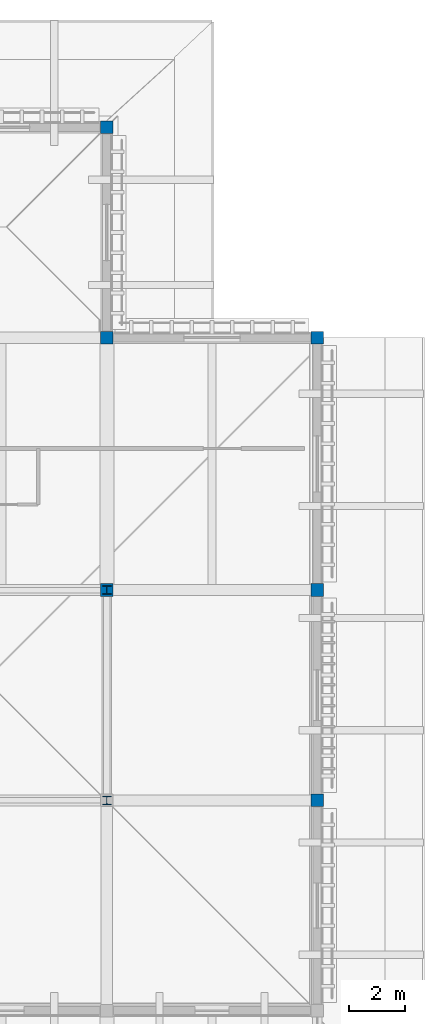
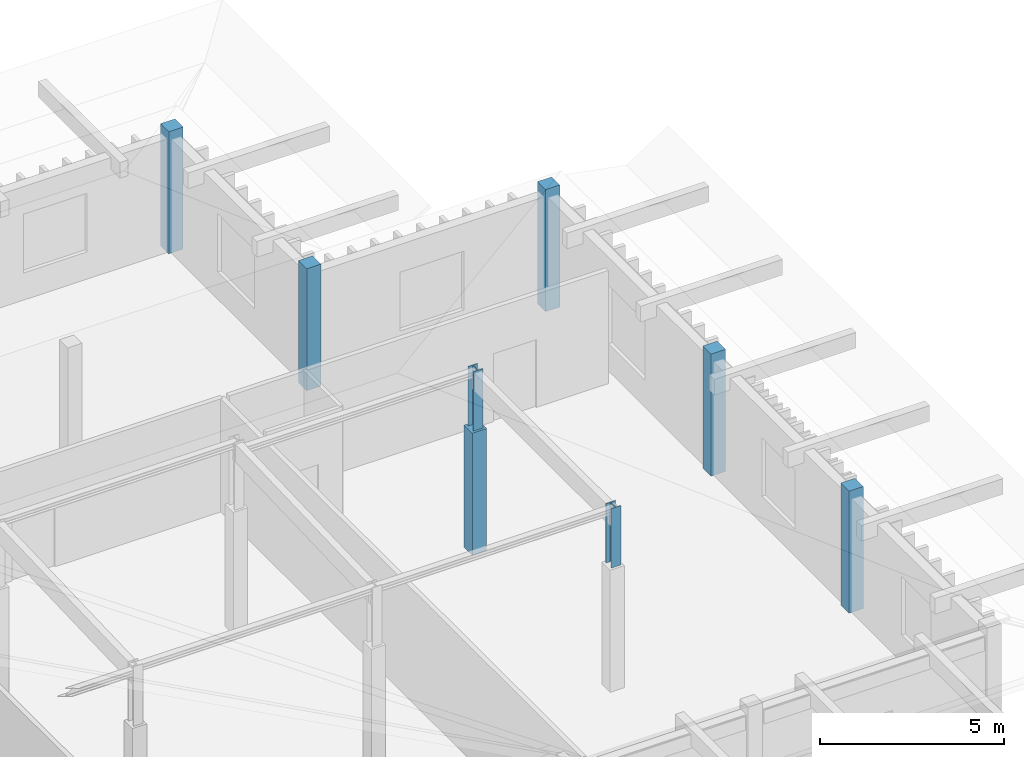
# One storey, part 11 of 48: 8 columns.
"""IFC4 building model written with IfcOpenShell, lengths in metres."""

from ifc_helpers import new_model, si_unit, direction, frame, origin, origin_2d, place, context, subcontext, project, spatial, rectangle, i_section, extrude, material, material_profile, profile_set, type_object, element, save


model = new_model("IFC4")

# Units and contexts
model_context = context("Model", 3, precision=1e-05, world=origin(), true_north=direction((0.0, 1.0)))
body_context = subcontext(model_context, "Body", "Model", "MODEL_VIEW")
ifc_project = project(units=[si_unit("LENGTHUNIT", "METRE"), si_unit("AREAUNIT", "SQUARE_METRE"), si_unit("VOLUMEUNIT", "CUBIC_METRE"), si_unit("PLANEANGLEUNIT", "RADIAN"), si_unit("MASSUNIT", "GRAM", prefix="KILO")], contexts=[model_context])

# Site, building, storey
site_placement = place(None, origin())
site = spatial("IfcSite", under=ifc_project, at=site_placement, CompositionType="ELEMENT")
building_placement = place(site_placement, origin())
building = spatial("IfcBuilding", under=site, at=building_placement, Name="Dalvernix Boulevard General Hospital", CompositionType="ELEMENT")
storey_placement = place(building_placement, frame((0.0, 0.0, 17.85009765625)))
storey = spatial("IfcBuildingStorey", under=building, at=storey_placement, Name="L04", CompositionType="ELEMENT", Elevation=17.85009765625)

# Columns
ifc_material_1 = material(Name="Concrete C40/50", Category="concrete")
ifc_material_profile_1 = material_profile(ifc_material_1, rectangle(XDim=0.449951171875, YDim=0.449951171875, at=origin_2d()), Name="RC 450x450")
ifc_profile_set_1 = profile_set([ifc_material_profile_1], Name="Concrete C40/50")
column_type_1 = type_object("IfcColumnType", Name="COL-C-10-E", PredefinedType="COLUMN", material=ifc_profile_set_1)
for number, where, z_axis, x_axis, name in (
    (1, (127.5, 109.5, 0.0), (0.0, 0.0, 1.0), (1.0, 0.0, 0.0), "L04 column 18Q"),
    (2, (127.5, 117.0, 0.0), (0.0, 0.0, 1.0), (1.0, 0.0, 0.0), "L04 column 18R"),
    (3, (135.0, 93.0, 0.0), (0.0, 0.0, 1.0), (1.0, 0.0, 0.0), "L04 column 19N"),
    (4, (135.0, 100.5, 0.0), (0.0, 0.0, 1.0), (1.0, 0.0, 0.0), "L04 column 19P"),
    (5, (135.0, 109.5, 0.0), (0.0, 0.0, 1.0), (1.0, 0.0, 0.0), "L04 column 19Q"),
):
    element("IfcColumn", number, at=place(storey_placement, frame(where, z_axis=z_axis, x_axis=x_axis)), inside=storey, type_object=column_type_1, Name=name, PredefinedType="COLUMN", context=body_context, shape_type="SweptSolid", body=[
        extrude(rectangle(XDim=0.449951171875, YDim=0.449951171875, at=origin_2d()), origin(), (0.0, 0.0, 1.0), 4.0498046875),
    ])
ifc_material_profile_2 = material_profile(ifc_material_1, rectangle(XDim=0.449951171875, YDim=0.449951171875, at=origin_2d()), Name="RC 450x450")
ifc_profile_set_2 = profile_set([ifc_material_profile_2], Name="Concrete C40/50")
column_type_2 = type_object("IfcColumnType", Name="COL-C-10-I", PredefinedType="COLUMN", material=ifc_profile_set_2)
column_placement = place(storey_placement, frame((127.5, 100.5, 0.0), z_axis=(0.0, 0.0, 1.0), x_axis=(1.0, 0.0, 0.0)))
element("IfcColumn", 6, at=column_placement, inside=storey, type_object=column_type_2, Name="L04 column 18P", PredefinedType="COLUMN", context=body_context, shape_type="SweptSolid", body=[
    extrude(rectangle(XDim=0.449951171875, YDim=0.449951171875, at=origin_2d()), origin(), (0.0, 0.0, 1.0), 4.0498046875),
])
ifc_material_2 = material(Name="Steel S355", Category="steel")
ifc_material_profile_3 = material_profile(ifc_material_2, i_section(OverallWidth=0.300048828125, OverallDepth=0.300048828125, WebThickness=0.010986328125, FlangeThickness=0.01904296875, FilletRadius=0.027099609375, at=origin_2d()), Name="HEB 300")
ifc_profile_set_3 = profile_set([ifc_material_profile_3], Name="Steel S355")
column_type_3 = type_object("IfcColumnType", Name="COL-C-18", PredefinedType="COLUMN", material=ifc_profile_set_3)
for number, where, z_axis, x_axis, name in (
    (7, (127.5, 93.0, 4.0498046875), (0.0, 0.0, 1.0), (1.0, 0.0, 0.0), "V3E roof king post 18N"),
    (8, (127.5, 100.5, 4.0498046875), (0.0, 0.0, 1.0), (1.0, 0.0, 0.0), "V3E roof king post 18P"),
):
    element("IfcColumn", number, at=place(storey_placement, frame(where, z_axis=z_axis, x_axis=x_axis)), inside=storey, type_object=column_type_3, Name=name, PredefinedType="COLUMN", context=body_context, shape_type="SweptSolid", body=[
        extrude(i_section(OverallWidth=0.300048828125, OverallDepth=0.300048828125, WebThickness=0.010986328125, FlangeThickness=0.01904296875, FilletRadius=0.027099609375, at=origin_2d()), origin(), (0.0, 0.0, 1.0), 1.97021484375),
    ])

save(model, "model.ifc")
